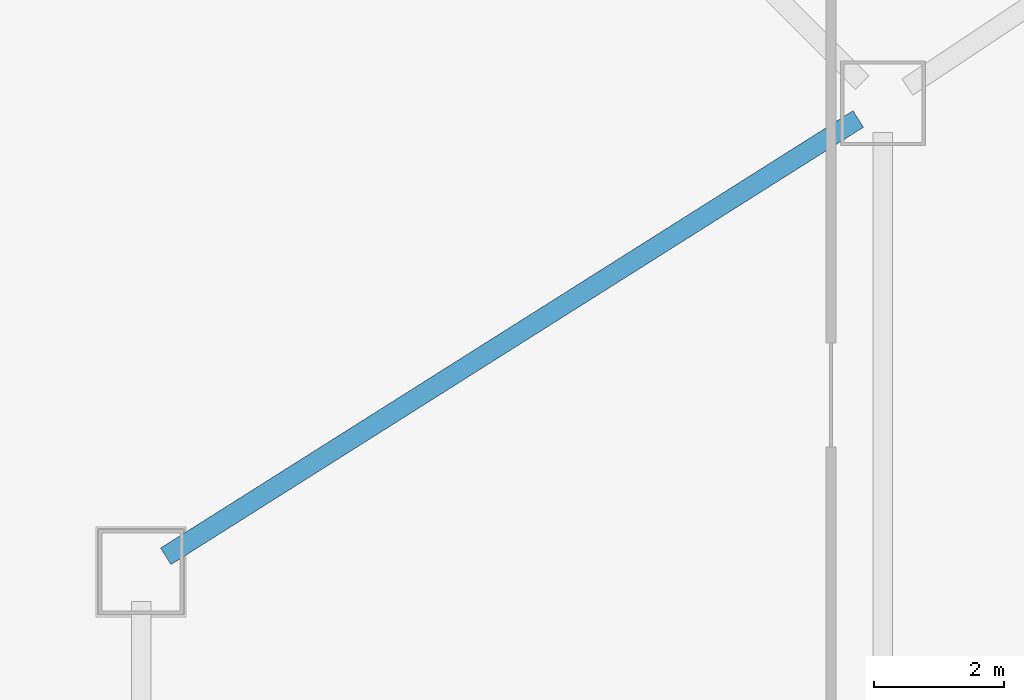
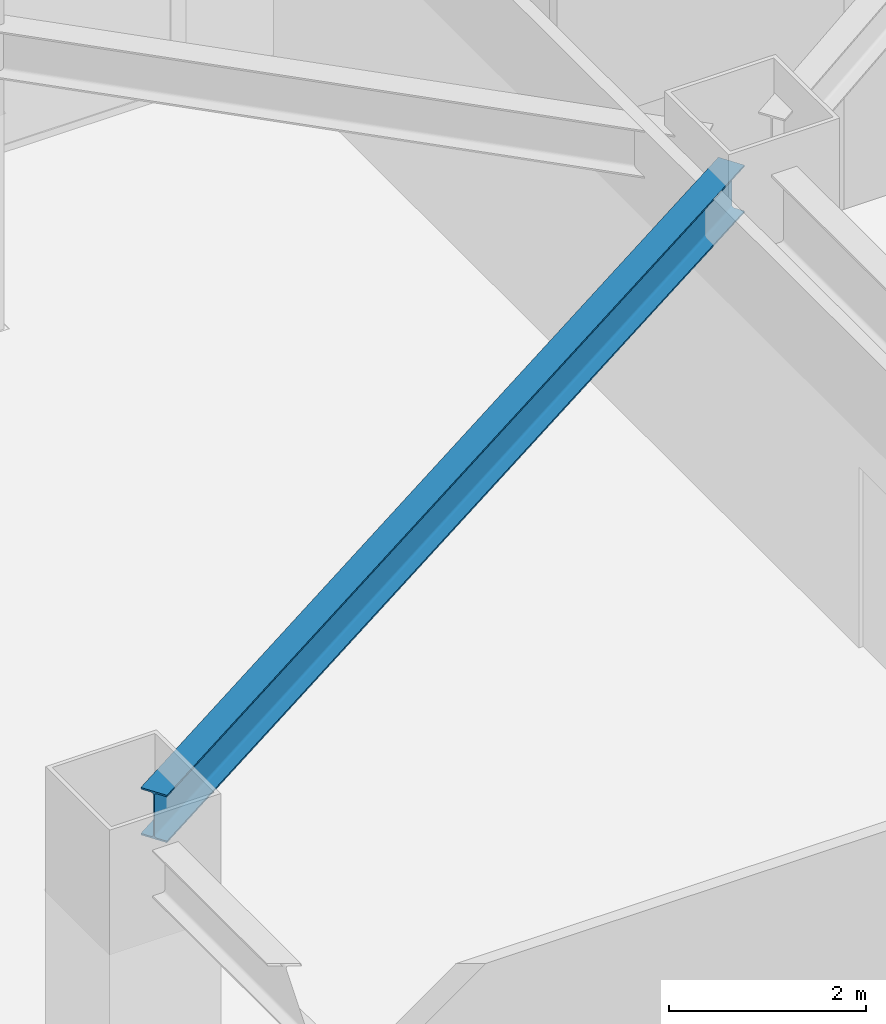
# One storey, part 11 of 32: 1 beam.
"""IFC4 building model written with IfcOpenShell, lengths in metres."""

from ifc_helpers import new_model, si_unit, direction, frame, origin, origin_2d, place, context, subcontext, project, spatial, i_section, extrude, material, material_profile, profile_set, type_object, element, save


model = new_model("IFC4")

# Units and contexts
model_context = context("Model", 3, precision=1e-05, world=origin(), true_north=direction((0.0, 1.0)))
body_context = subcontext(model_context, "Body", "Model", "MODEL_VIEW")
ifc_project = project(units=[si_unit("LENGTHUNIT", "METRE"), si_unit("AREAUNIT", "SQUARE_METRE"), si_unit("VOLUMEUNIT", "CUBIC_METRE"), si_unit("PLANEANGLEUNIT", "RADIAN"), si_unit("MASSUNIT", "GRAM", prefix="KILO")], contexts=[model_context])

# Site, building, storey
site_placement = place(None, origin())
site = spatial("IfcSite", under=ifc_project, at=site_placement, CompositionType="ELEMENT")
building_placement = place(site_placement, origin())
building = spatial("IfcBuilding", under=site, at=building_placement, Name="Haolan Belvedere Tower", CompositionType="ELEMENT")
storey_placement = place(building_placement, frame((0.0, 0.0, 15.60009765625)))
storey = spatial("IfcBuildingStorey", under=building, at=storey_placement, Name="L03", CompositionType="ELEMENT", Elevation=15.60009765625)

# Beam
ifc_material = material(Name="Steel Q355B", Category="steel")
ifc_material_profile = material_profile(ifc_material, i_section(OverallWidth=0.300048828125, OverallDepth=0.587890625, WebThickness=0.011962890625, FlangeThickness=0.02001953125, FilletRadius=0.028076171875, at=origin_2d()), Name="Steel Q355B")
ifc_profile_set = profile_set([ifc_material_profile], Name="Steel Q355B")
beam_type = type_object("IfcBeamType", Name="BM-HM588x300x12x20", PredefinedType="SPANDREL", material=ifc_profile_set)
beam_placement = place(storey_placement, frame((12.98046875, 38.640380859375, 3.48583984375), z_axis=(0.845497201575, 0.5339798518, 0.0), x_axis=(-0.5339798518, 0.845497201575, 0.0)))
element("IfcBeam", 1, at=beam_placement, inside=storey, type_object=beam_type, Name="L03 spandrel girder MC-T2-NW-MC-T3-NW", PredefinedType="SPANDREL", context=body_context, shape_type="SweptSolid", body=[
    extrude(i_section(OverallWidth=0.300048828125, OverallDepth=0.587890625, WebThickness=0.011962890625, FlangeThickness=0.02001953125, FilletRadius=0.028076171875, at=origin_2d()), origin(), (0.0, 0.0, 1.0), 12.583251953125),
])

save(model, "model.ifc")
